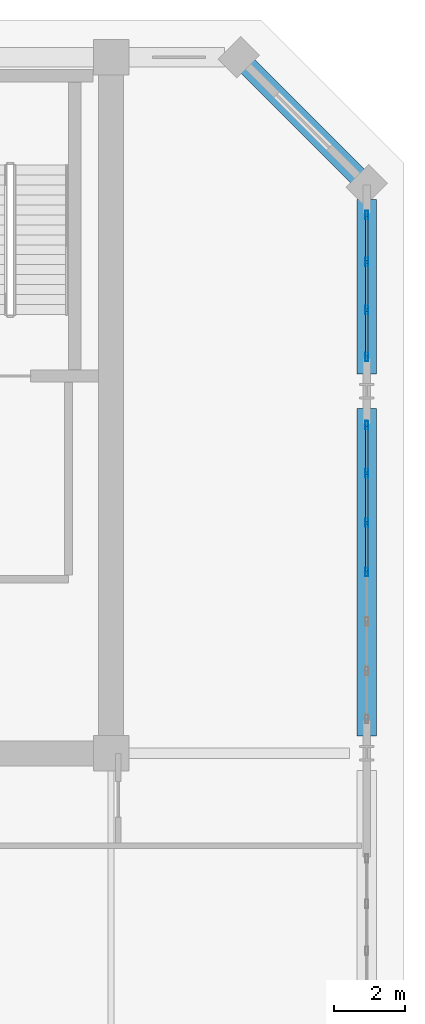
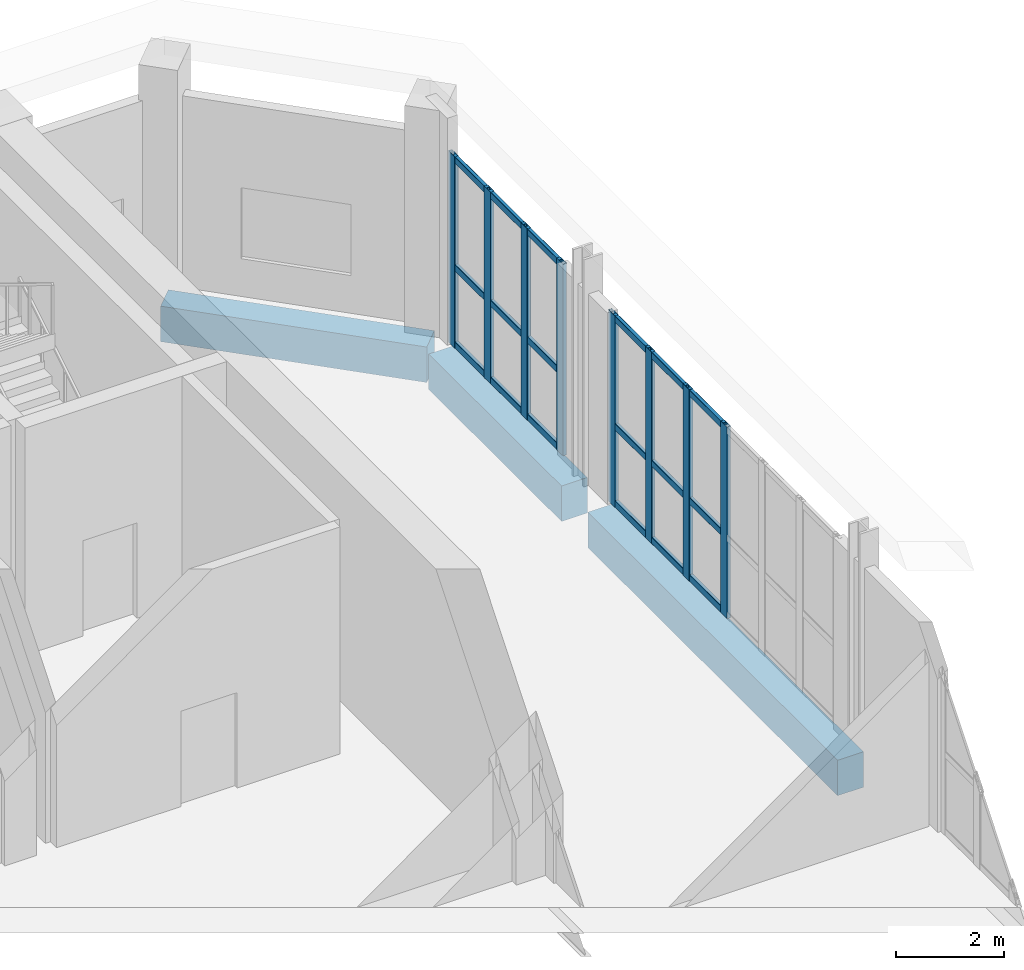
# One storey, part 16 of 26: 26 members, 3 beams, 2 elements without a shape of their own.
"""IFC4 building model written with IfcOpenShell, lengths in metres."""

from ifc_helpers import new_model, si_unit, direction, frame, origin, origin_2d, place, context, subcontext, project, spatial, rectangle, hollow_rectangle, extrude, material, layer, layer_set, material_profile, profile_set, type_object, element, aggregate, save


model = new_model("IFC4")

# Units and contexts
model_context = context("Model", 3, precision=1e-05, world=origin(), true_north=direction((0.0, 1.0)))
body_context = subcontext(model_context, "Body", "Model", "MODEL_VIEW")
ifc_project = project(units=[si_unit("LENGTHUNIT", "METRE"), si_unit("AREAUNIT", "SQUARE_METRE"), si_unit("VOLUMEUNIT", "CUBIC_METRE"), si_unit("PLANEANGLEUNIT", "RADIAN"), si_unit("MASSUNIT", "GRAM", prefix="KILO")], contexts=[model_context])

# Site, building, storey
site_placement = place(None, origin())
site = spatial("IfcSite", under=ifc_project, at=site_placement, CompositionType="ELEMENT")
building_placement = place(site_placement, origin())
building = spatial("IfcBuilding", under=site, at=building_placement, Name="Kaelvorn Grand Hotel", CompositionType="ELEMENT")
storey_placement = place(building_placement, frame((0.0, 0.0, 294.699951171875)))
storey = spatial("IfcBuildingStorey", under=building, at=storey_placement, Name="L72", CompositionType="ELEMENT", Elevation=294.699951171875)

# Beams
ifc_material_1 = material(Name="Concrete C50/60", Category="concrete")
ifc_material_profile_1 = material_profile(ifc_material_1, rectangle(XDim=0.550048828125, YDim=0.800048828125, at=origin_2d()), Name="RC SPANDREL 550x800")
ifc_profile_set_1 = profile_set([ifc_material_profile_1], Name="Concrete C50/60")
beam_type = type_object("IfcBeamType", Name="BM-SP-550x800-C50", PredefinedType="SPANDREL", material=ifc_profile_set_1)
beam_1_placement = place(storey_placement, frame((75.0, 29.885009765625, -0.780029296875), z_axis=(0.0, 1.0, 0.0), x_axis=(-1.0, 0.0, 0.0)))
element("IfcBeam", 1, at=beam_1_placement, inside=storey, type_object=beam_type, Name="L72 East Perimeter Spandrel 03", PredefinedType="SPANDREL", context=body_context, shape_type="SweptSolid", body=[
    extrude(rectangle(XDim=0.550048828125, YDim=0.800048828125, at=origin_2d()), origin(), (0.0, 0.0, 1.0), 9.22998046875),
])
beam_2_placement = place(storey_placement, frame((75.0, 40.0849609375, -0.780029296875), z_axis=(0.0, 1.0, 0.0), x_axis=(-1.0, 0.0, 0.0)))
element("IfcBeam", 2, at=beam_2_placement, inside=storey, type_object=beam_type, Name="L72 East Perimeter Spandrel 04", PredefinedType="SPANDREL", context=body_context, shape_type="SweptSolid", body=[
    extrude(rectangle(XDim=0.550048828125, YDim=0.800048828125, at=origin_2d()), origin(), (0.0, 0.0, 1.0), 4.91015625),
])
beam_3_placement = place(storey_placement, frame((75.0, 45.39990234375, -0.780029296875), z_axis=(-0.707106781187, 0.707106781187, 0.0), x_axis=(-0.707106781187, -0.707106781187, 0.0)))
element("IfcBeam", 3, at=beam_3_placement, inside=storey, type_object=beam_type, Name="L72 Chamfer Spandrel Beam 2", PredefinedType="SPANDREL", context=body_context, shape_type="SweptSolid", body=[
    extrude(rectangle(XDim=0.550048828125, YDim=0.800048828125, at=origin_2d()), origin(), (0.0, 0.0, 1.0), 5.09130859375),
])

# Curtain wall, members
ifc_material_2 = material(Name="Anodised Aluminium", Category="aluminium")
ifc_layer = layer(ifc_material_2, 0.239990234375)
ifc_layer_set = layer_set([ifc_layer], Name="Anodised Aluminium")
curtain_wall_type = type_object("IfcCurtainWallType", Name="CW-SYS5", PredefinedType="NOTDEFINED", material=ifc_layer_set)
curtain_wall_1_placement = place(storey_placement, origin())
curtain_wall_1 = element("IfcCurtainWall", 4, at=curtain_wall_1_placement, inside=storey, type_object=curtain_wall_type, Name="L72 Unitised Curtain Wall CW5 (CW-L72-E-03)", PredefinedType="NOTDEFINED")
ifc_material_profile_2 = material_profile(ifc_material_2, hollow_rectangle(XDim=0.080078125, YDim=0.239990234375, WallThickness=0.0048828125, InnerFilletRadius=0.0048828125, OuterFilletRadius=0.010009765625, at=origin_2d()), Name="ALU MULL 80x240")
ifc_profile_set_2 = profile_set([ifc_material_profile_2], Name="Anodised Aluminium")
member_type_1 = type_object("IfcMemberType", Name="CW-SYS5-MULL", PredefinedType="MULLION", material=ifc_profile_set_2)
member_1_placement = place(storey_placement, frame((75.0, 34.5, 0.0), z_axis=(0.0, 0.0, 1.0), x_axis=(-1.0, 0.0, 0.0)))
member_1 = element("IfcMember", 5, at=member_1_placement, type_object=member_type_1, Name="CW5 mullion 4", PredefinedType="MULLION", context=body_context, shape_type="SweptSolid", body=[
    extrude(hollow_rectangle(XDim=0.080078125, YDim=0.239990234375, WallThickness=0.0048828125, InnerFilletRadius=0.0048828125, OuterFilletRadius=0.010009765625, at=origin_2d()), origin(), (0.0, 0.0, 1.0), 4.320068359375),
])
member_2_placement = place(storey_placement, frame((75.0, 35.893310546875, 0.0), z_axis=(0.0, 0.0, 1.0), x_axis=(-1.0, 0.0, 0.0)))
member_2 = element("IfcMember", 6, at=member_2_placement, type_object=member_type_1, Name="CW5 mullion 5", PredefinedType="MULLION", context=body_context, shape_type="SweptSolid", body=[
    extrude(hollow_rectangle(XDim=0.080078125, YDim=0.239990234375, WallThickness=0.0048828125, InnerFilletRadius=0.0048828125, OuterFilletRadius=0.010009765625, at=origin_2d()), origin(), (0.0, 0.0, 1.0), 4.320068359375),
])
member_3_placement = place(storey_placement, frame((75.0, 37.28662109375, 0.0), z_axis=(0.0, 0.0, 1.0), x_axis=(-1.0, 0.0, 0.0)))
member_3 = element("IfcMember", 7, at=member_3_placement, type_object=member_type_1, Name="CW5 mullion 6", PredefinedType="MULLION", context=body_context, shape_type="SweptSolid", body=[
    extrude(hollow_rectangle(XDim=0.080078125, YDim=0.239990234375, WallThickness=0.0048828125, InnerFilletRadius=0.0048828125, OuterFilletRadius=0.010009765625, at=origin_2d()), origin(), (0.0, 0.0, 1.0), 4.320068359375),
])
member_4_placement = place(storey_placement, frame((75.0, 38.639892578125, 0.0), z_axis=(0.0, 0.0, 1.0), x_axis=(-1.0, 0.0, 0.0)))
member_4 = element("IfcMember", 8, at=member_4_placement, type_object=member_type_1, Name="CW5 mullion 7", PredefinedType="MULLION", context=body_context, shape_type="SweptSolid", body=[
    extrude(hollow_rectangle(XDim=0.080078125, YDim=0.239990234375, WallThickness=0.0048828125, InnerFilletRadius=0.0048828125, OuterFilletRadius=0.010009765625, at=origin_2d()), origin(), (0.0, 0.0, 1.0), 4.320068359375),
])

curtain_wall_2_placement = place(storey_placement, origin())
curtain_wall_2 = element("IfcCurtainWall", 9, at=curtain_wall_2_placement, inside=storey, type_object=curtain_wall_type, Name="L72 Unitised Curtain Wall CW5 (CW-L72-E-04)", PredefinedType="NOTDEFINED")
member_5_placement = place(storey_placement, frame((75.0, 40.56005859375, 0.0), z_axis=(0.0, 0.0, 1.0), x_axis=(-1.0, 0.0, 0.0)))
member_5 = element("IfcMember", 10, at=member_5_placement, type_object=member_type_1, Name="CW5 mullion 1", PredefinedType="MULLION", context=body_context, shape_type="SweptSolid", body=[
    extrude(hollow_rectangle(XDim=0.080078125, YDim=0.239990234375, WallThickness=0.0048828125, InnerFilletRadius=0.0048828125, OuterFilletRadius=0.010009765625, at=origin_2d()), origin(), (0.0, 0.0, 1.0), 4.320068359375),
])
member_6_placement = place(storey_placement, frame((75.0, 41.8798828125, 0.0), z_axis=(0.0, 0.0, 1.0), x_axis=(-1.0, 0.0, 0.0)))
member_6 = element("IfcMember", 11, at=member_6_placement, type_object=member_type_1, Name="CW5 mullion 2", PredefinedType="MULLION", context=body_context, shape_type="SweptSolid", body=[
    extrude(hollow_rectangle(XDim=0.080078125, YDim=0.239990234375, WallThickness=0.0048828125, InnerFilletRadius=0.0048828125, OuterFilletRadius=0.010009765625, at=origin_2d()), origin(), (0.0, 0.0, 1.0), 4.320068359375),
])
member_7_placement = place(storey_placement, frame((75.0, 43.239990234375, 0.0), z_axis=(0.0, 0.0, 1.0), x_axis=(-1.0, 0.0, 0.0)))
member_7 = element("IfcMember", 12, at=member_7_placement, type_object=member_type_1, Name="CW5 mullion 3", PredefinedType="MULLION", context=body_context, shape_type="SweptSolid", body=[
    extrude(hollow_rectangle(XDim=0.080078125, YDim=0.239990234375, WallThickness=0.0048828125, InnerFilletRadius=0.0048828125, OuterFilletRadius=0.010009765625, at=origin_2d()), origin(), (0.0, 0.0, 1.0), 4.320068359375),
])
member_8_placement = place(storey_placement, frame((75.0, 44.56005859375, 0.0), z_axis=(0.0, 0.0, 1.0), x_axis=(-1.0, 0.0, 0.0)))
member_8 = element("IfcMember", 13, at=member_8_placement, type_object=member_type_1, Name="CW5 mullion 4", PredefinedType="MULLION", context=body_context, shape_type="SweptSolid", body=[
    extrude(hollow_rectangle(XDim=0.080078125, YDim=0.239990234375, WallThickness=0.0048828125, InnerFilletRadius=0.0048828125, OuterFilletRadius=0.010009765625, at=origin_2d()), origin(), (0.0, 0.0, 1.0), 4.320068359375),
])

# Member
ifc_material_profile_3 = material_profile(ifc_material_2, hollow_rectangle(XDim=0.074951171875, YDim=0.14990234375, WallThickness=0.00390625, InnerFilletRadius=0.00390625, OuterFilletRadius=0.008056640625, at=origin_2d()), Name="ALU TRAN 75x150")
ifc_profile_set_3 = profile_set([ifc_material_profile_3], Name="Anodised Aluminium")
member_type_2 = type_object("IfcMemberType", Name="CW-SYS5-TRAN", PredefinedType="NOTDEFINED", material=ifc_profile_set_3)
member_9_placement = place(storey_placement, frame((75.0, 34.5400390625, 0.074951171875), z_axis=(0.0, 1.0, 0.0), x_axis=(-1.0, 0.0, 0.0)))
member_9 = element("IfcMember", 14, at=member_9_placement, type_object=member_type_2, Name="CW5 transom 4.1", ObjectType="TRANSOM", PredefinedType="USERDEFINED", context=body_context, shape_type="SweptSolid", body=[
    extrude(hollow_rectangle(XDim=0.074951171875, YDim=0.14990234375, WallThickness=0.00390625, InnerFilletRadius=0.00390625, OuterFilletRadius=0.008056640625, at=origin_2d()), origin(), (0.0, 0.0, 1.0), 1.313232421875),
])

member_10_placement = place(storey_placement, frame((75.0, 34.5400390625, 1.814453125), z_axis=(0.0, 1.0, 0.0), x_axis=(-1.0, 0.0, 0.0)))
member_10 = element("IfcMember", 15, at=member_10_placement, type_object=member_type_2, Name="CW5 transom 4.2", ObjectType="TRANSOM", PredefinedType="USERDEFINED", context=body_context, shape_type="SweptSolid", body=[
    extrude(hollow_rectangle(XDim=0.074951171875, YDim=0.14990234375, WallThickness=0.00390625, InnerFilletRadius=0.00390625, OuterFilletRadius=0.008056640625, at=origin_2d()), origin(), (0.0, 0.0, 1.0), 1.313232421875),
])

member_11_placement = place(storey_placement, frame((75.0, 34.5400390625, 4.2451171875), z_axis=(0.0, 1.0, 0.0), x_axis=(-1.0, 0.0, 0.0)))
member_11 = element("IfcMember", 16, at=member_11_placement, type_object=member_type_2, Name="CW5 transom 4.3", ObjectType="TRANSOM", PredefinedType="USERDEFINED", context=body_context, shape_type="SweptSolid", body=[
    extrude(hollow_rectangle(XDim=0.074951171875, YDim=0.14990234375, WallThickness=0.00390625, InnerFilletRadius=0.00390625, OuterFilletRadius=0.008056640625, at=origin_2d()), origin(), (0.0, 0.0, 1.0), 1.313232421875),
])

member_12_placement = place(storey_placement, frame((75.0, 35.933349609375, 0.074951171875), z_axis=(0.0, 1.0, 0.0), x_axis=(-1.0, 0.0, 0.0)))
member_12 = element("IfcMember", 17, at=member_12_placement, type_object=member_type_2, Name="CW5 transom 5.1", ObjectType="TRANSOM", PredefinedType="USERDEFINED", context=body_context, shape_type="SweptSolid", body=[
    extrude(hollow_rectangle(XDim=0.074951171875, YDim=0.14990234375, WallThickness=0.00390625, InnerFilletRadius=0.00390625, OuterFilletRadius=0.008056640625, at=origin_2d()), origin(), (0.0, 0.0, 1.0), 1.313232421875),
])

member_13_placement = place(storey_placement, frame((75.0, 35.933349609375, 1.814453125), z_axis=(0.0, 1.0, 0.0), x_axis=(-1.0, 0.0, 0.0)))
member_13 = element("IfcMember", 18, at=member_13_placement, type_object=member_type_2, Name="CW5 transom 5.2", ObjectType="TRANSOM", PredefinedType="USERDEFINED", context=body_context, shape_type="SweptSolid", body=[
    extrude(hollow_rectangle(XDim=0.074951171875, YDim=0.14990234375, WallThickness=0.00390625, InnerFilletRadius=0.00390625, OuterFilletRadius=0.008056640625, at=origin_2d()), origin(), (0.0, 0.0, 1.0), 1.313232421875),
])

member_14_placement = place(storey_placement, frame((75.0, 35.933349609375, 4.2451171875), z_axis=(0.0, 1.0, 0.0), x_axis=(-1.0, 0.0, 0.0)))
member_14 = element("IfcMember", 19, at=member_14_placement, type_object=member_type_2, Name="CW5 transom 5.3", ObjectType="TRANSOM", PredefinedType="USERDEFINED", context=body_context, shape_type="SweptSolid", body=[
    extrude(hollow_rectangle(XDim=0.074951171875, YDim=0.14990234375, WallThickness=0.00390625, InnerFilletRadius=0.00390625, OuterFilletRadius=0.008056640625, at=origin_2d()), origin(), (0.0, 0.0, 1.0), 1.313232421875),
])

member_15_placement = place(storey_placement, frame((75.0, 37.32666015625, 0.074951171875), z_axis=(0.0, 1.0, 0.0), x_axis=(-1.0, 0.0, 0.0)))
member_15 = element("IfcMember", 20, at=member_15_placement, type_object=member_type_2, Name="CW5 transom 6.1", ObjectType="TRANSOM", PredefinedType="USERDEFINED", context=body_context, shape_type="SweptSolid", body=[
    extrude(hollow_rectangle(XDim=0.074951171875, YDim=0.14990234375, WallThickness=0.00390625, InnerFilletRadius=0.00390625, OuterFilletRadius=0.008056640625, at=origin_2d()), origin(), (0.0, 0.0, 1.0), 1.2734375),
])

member_16_placement = place(storey_placement, frame((75.0, 37.32666015625, 1.814453125), z_axis=(0.0, 1.0, 0.0), x_axis=(-1.0, 0.0, 0.0)))
member_16 = element("IfcMember", 21, at=member_16_placement, type_object=member_type_2, Name="CW5 transom 6.2", ObjectType="TRANSOM", PredefinedType="USERDEFINED", context=body_context, shape_type="SweptSolid", body=[
    extrude(hollow_rectangle(XDim=0.074951171875, YDim=0.14990234375, WallThickness=0.00390625, InnerFilletRadius=0.00390625, OuterFilletRadius=0.008056640625, at=origin_2d()), origin(), (0.0, 0.0, 1.0), 1.2734375),
])

member_17_placement = place(storey_placement, frame((75.0, 37.32666015625, 4.2451171875), z_axis=(0.0, 1.0, 0.0), x_axis=(-1.0, 0.0, 0.0)))
member_17 = element("IfcMember", 22, at=member_17_placement, type_object=member_type_2, Name="CW5 transom 6.3", ObjectType="TRANSOM", PredefinedType="USERDEFINED", context=body_context, shape_type="SweptSolid", body=[
    extrude(hollow_rectangle(XDim=0.074951171875, YDim=0.14990234375, WallThickness=0.00390625, InnerFilletRadius=0.00390625, OuterFilletRadius=0.008056640625, at=origin_2d()), origin(), (0.0, 0.0, 1.0), 1.2734375),
])

aggregate(curtain_wall_1, [member_1, member_2, member_3, member_4, member_9, member_10, member_11, member_12, member_13, member_14, member_15, member_16, member_17])

member_18_placement = place(storey_placement, frame((75.0, 40.60009765625, 0.074951171875), z_axis=(0.0, 1.0, 0.0), x_axis=(-1.0, 0.0, 0.0)))
member_18 = element("IfcMember", 23, at=member_18_placement, type_object=member_type_2, Name="CW5 transom 1.1", ObjectType="TRANSOM", PredefinedType="USERDEFINED", context=body_context, shape_type="SweptSolid", body=[
    extrude(hollow_rectangle(XDim=0.074951171875, YDim=0.14990234375, WallThickness=0.00390625, InnerFilletRadius=0.00390625, OuterFilletRadius=0.008056640625, at=origin_2d()), origin(), (0.0, 0.0, 1.0), 1.239990234375),
])

member_19_placement = place(storey_placement, frame((75.0, 40.60009765625, 1.814453125), z_axis=(0.0, 1.0, 0.0), x_axis=(-1.0, 0.0, 0.0)))
member_19 = element("IfcMember", 24, at=member_19_placement, type_object=member_type_2, Name="CW5 transom 1.2", ObjectType="TRANSOM", PredefinedType="USERDEFINED", context=body_context, shape_type="SweptSolid", body=[
    extrude(hollow_rectangle(XDim=0.074951171875, YDim=0.14990234375, WallThickness=0.00390625, InnerFilletRadius=0.00390625, OuterFilletRadius=0.008056640625, at=origin_2d()), origin(), (0.0, 0.0, 1.0), 1.239990234375),
])

member_20_placement = place(storey_placement, frame((75.0, 40.60009765625, 4.2451171875), z_axis=(0.0, 1.0, 0.0), x_axis=(-1.0, 0.0, 0.0)))
member_20 = element("IfcMember", 25, at=member_20_placement, type_object=member_type_2, Name="CW5 transom 1.3", ObjectType="TRANSOM", PredefinedType="USERDEFINED", context=body_context, shape_type="SweptSolid", body=[
    extrude(hollow_rectangle(XDim=0.074951171875, YDim=0.14990234375, WallThickness=0.00390625, InnerFilletRadius=0.00390625, OuterFilletRadius=0.008056640625, at=origin_2d()), origin(), (0.0, 0.0, 1.0), 1.239990234375),
])

member_21_placement = place(storey_placement, frame((75.0, 41.919921875, 0.074951171875), z_axis=(0.0, 1.0, 0.0), x_axis=(-1.0, 0.0, 0.0)))
member_21 = element("IfcMember", 26, at=member_21_placement, type_object=member_type_2, Name="CW5 transom 2.1", ObjectType="TRANSOM", PredefinedType="USERDEFINED", context=body_context, shape_type="SweptSolid", body=[
    extrude(hollow_rectangle(XDim=0.074951171875, YDim=0.14990234375, WallThickness=0.00390625, InnerFilletRadius=0.00390625, OuterFilletRadius=0.008056640625, at=origin_2d()), origin(), (0.0, 0.0, 1.0), 1.280029296875),
])

member_22_placement = place(storey_placement, frame((75.0, 41.919921875, 1.814453125), z_axis=(0.0, 1.0, 0.0), x_axis=(-1.0, 0.0, 0.0)))
member_22 = element("IfcMember", 27, at=member_22_placement, type_object=member_type_2, Name="CW5 transom 2.2", ObjectType="TRANSOM", PredefinedType="USERDEFINED", context=body_context, shape_type="SweptSolid", body=[
    extrude(hollow_rectangle(XDim=0.074951171875, YDim=0.14990234375, WallThickness=0.00390625, InnerFilletRadius=0.00390625, OuterFilletRadius=0.008056640625, at=origin_2d()), origin(), (0.0, 0.0, 1.0), 1.280029296875),
])

member_23_placement = place(storey_placement, frame((75.0, 41.919921875, 4.2451171875), z_axis=(0.0, 1.0, 0.0), x_axis=(-1.0, 0.0, 0.0)))
member_23 = element("IfcMember", 28, at=member_23_placement, type_object=member_type_2, Name="CW5 transom 2.3", ObjectType="TRANSOM", PredefinedType="USERDEFINED", context=body_context, shape_type="SweptSolid", body=[
    extrude(hollow_rectangle(XDim=0.074951171875, YDim=0.14990234375, WallThickness=0.00390625, InnerFilletRadius=0.00390625, OuterFilletRadius=0.008056640625, at=origin_2d()), origin(), (0.0, 0.0, 1.0), 1.280029296875),
])

member_24_placement = place(storey_placement, frame((75.0, 43.280029296875, 0.074951171875), z_axis=(0.0, 1.0, 0.0), x_axis=(-1.0, 0.0, 0.0)))
member_24 = element("IfcMember", 29, at=member_24_placement, type_object=member_type_2, Name="CW5 transom 3.1", ObjectType="TRANSOM", PredefinedType="USERDEFINED", context=body_context, shape_type="SweptSolid", body=[
    extrude(hollow_rectangle(XDim=0.074951171875, YDim=0.14990234375, WallThickness=0.00390625, InnerFilletRadius=0.00390625, OuterFilletRadius=0.008056640625, at=origin_2d()), origin(), (0.0, 0.0, 1.0), 1.239990234375),
])

member_25_placement = place(storey_placement, frame((75.0, 43.280029296875, 1.814453125), z_axis=(0.0, 1.0, 0.0), x_axis=(-1.0, 0.0, 0.0)))
member_25 = element("IfcMember", 30, at=member_25_placement, type_object=member_type_2, Name="CW5 transom 3.2", ObjectType="TRANSOM", PredefinedType="USERDEFINED", context=body_context, shape_type="SweptSolid", body=[
    extrude(hollow_rectangle(XDim=0.074951171875, YDim=0.14990234375, WallThickness=0.00390625, InnerFilletRadius=0.00390625, OuterFilletRadius=0.008056640625, at=origin_2d()), origin(), (0.0, 0.0, 1.0), 1.239990234375),
])

member_26_placement = place(storey_placement, frame((75.0, 43.280029296875, 4.2451171875), z_axis=(0.0, 1.0, 0.0), x_axis=(-1.0, 0.0, 0.0)))
member_26 = element("IfcMember", 31, at=member_26_placement, type_object=member_type_2, Name="CW5 transom 3.3", ObjectType="TRANSOM", PredefinedType="USERDEFINED", context=body_context, shape_type="SweptSolid", body=[
    extrude(hollow_rectangle(XDim=0.074951171875, YDim=0.14990234375, WallThickness=0.00390625, InnerFilletRadius=0.00390625, OuterFilletRadius=0.008056640625, at=origin_2d()), origin(), (0.0, 0.0, 1.0), 1.239990234375),
])

aggregate(curtain_wall_2, [member_5, member_6, member_7, member_8, member_18, member_19, member_20, member_21, member_22, member_23, member_24, member_25, member_26])

save(model, "model.ifc")
